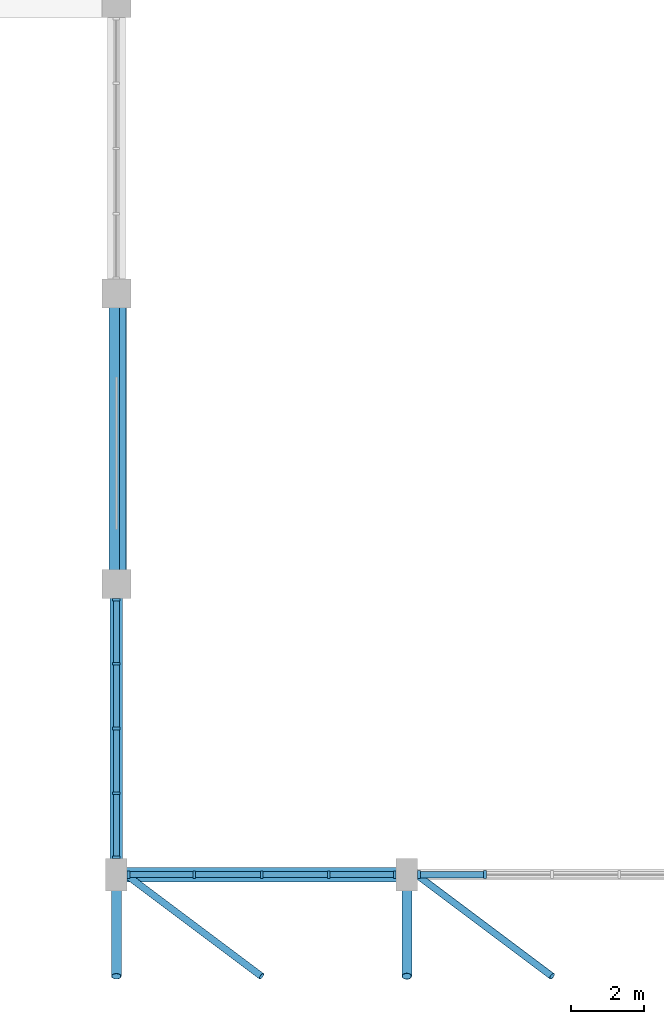
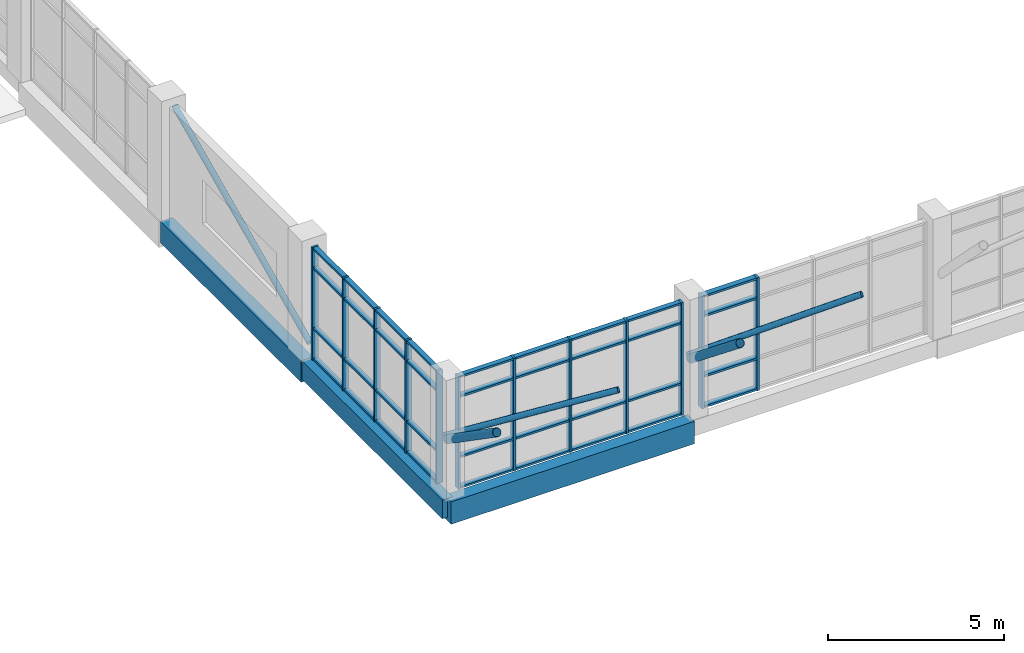
# One storey, part 16 of 84: 53 members, 3 beams, 3 elements without a shape of their own.
"""IFC4 building model written with IfcOpenShell, lengths in metres."""

from ifc_helpers import new_model, si_unit, direction, frame, origin, origin_2d, place, context, subcontext, project, spatial, rectangle, hollow_circle, extrude, material, material_profile, profile_set, type_object, element, aggregate, save


model = new_model("IFC4")

# Units and contexts
model_context = context("Model", 3, precision=1e-05, world=origin(), true_north=direction((0.0, 1.0)))
body_context = subcontext(model_context, "Body", "Model", "MODEL_VIEW")
ifc_project = project(units=[si_unit("LENGTHUNIT", "METRE"), si_unit("AREAUNIT", "SQUARE_METRE"), si_unit("VOLUMEUNIT", "CUBIC_METRE"), si_unit("PLANEANGLEUNIT", "RADIAN"), si_unit("MASSUNIT", "GRAM", prefix="KILO")], contexts=[model_context])

# Site, building, storey
site_placement = place(None, origin())
site = spatial("IfcSite", under=ifc_project, at=site_placement, CompositionType="ELEMENT")
building_placement = place(site_placement, origin())
building = spatial("IfcBuilding", under=site, at=building_placement, Name="Tenunan Teduh Sports Hall", CompositionType="ELEMENT")
storey_placement = place(building_placement, frame((0.0, 0.0, 10.800048828125)))
storey = spatial("IfcBuildingStorey", under=building, at=storey_placement, Name="L02", CompositionType="ELEMENT", Elevation=10.800048828125)

# Beams
ifc_material_1 = material(Name="Concrete C40/50", Category="concrete")
ifc_material_profile_1 = material_profile(ifc_material_1, rectangle(XDim=0.35009765625, YDim=0.64990234375, at=origin_2d()), Name="RCB 350x650")
ifc_profile_set_1 = profile_set([ifc_material_profile_1], Name="Concrete C40/50")
beam_type_1 = type_object("IfcBeamType", Name="BM-RC-350x650", PredefinedType="BEAM", material=ifc_profile_set_1)
beam_1_placement = place(storey_placement, frame((122.0, 14.0, -0.5849609375), z_axis=(0.0, 1.0, 0.0), x_axis=(-1.0, 0.0, 0.0)))
element("IfcBeam", 1, at=beam_1_placement, inside=storey, type_object=beam_type_1, Name="BM-B-05-L02-1633", PredefinedType="BEAM", context=body_context, shape_type="SweptSolid", body=[
    extrude(rectangle(XDim=0.35009765625, YDim=0.64990234375, at=origin_2d()), origin(), (0.0, 0.0, 1.0), 8.0),
])
ifc_material_2 = material(Name="Concrete C40/50", Category="concrete")
ifc_material_profile_2 = material_profile(ifc_material_2, rectangle(XDim=0.39990234375, YDim=0.75, at=origin_2d()), Name="RCB 400x750")
ifc_profile_set_2 = profile_set([ifc_material_profile_2], Name="Concrete C40/50")
beam_type_2 = type_object("IfcBeamType", Name="BM-RC-400x750", PredefinedType="BEAM", material=ifc_profile_set_2)
beam_2_placement = place(storey_placement, frame((122.0, 22.0, -0.635009765625), z_axis=(0.0, 1.0, 0.0), x_axis=(-1.0, 0.0, 0.0)))
element("IfcBeam", 2, at=beam_2_placement, inside=storey, type_object=beam_type_2, Name="BM-B-09-L02-1634", PredefinedType="BEAM", context=body_context, shape_type="SweptSolid", body=[
    extrude(rectangle(XDim=0.39990234375, YDim=0.75, at=origin_2d()), origin(), (0.0, 0.0, 1.0), 8.0),
])
ifc_material_3 = material(Name="Concrete C40/50", Category="concrete")
ifc_material_profile_3 = material_profile(ifc_material_3, rectangle(XDim=0.39990234375, YDim=0.780029296875, at=origin_2d()), Name="TB 400x780")
ifc_profile_set_3 = profile_set([ifc_material_profile_3], Name="Concrete C40/50")
beam_type_3 = type_object("IfcBeamType", Name="BM-TB-400x780", PredefinedType="T_BEAM", material=ifc_profile_set_3)
beam_3_placement = place(storey_placement, frame((122.0, 14.0, -0.650146484375), z_axis=(1.0, 0.0, 0.0), x_axis=(0.0, 1.0, 0.0)))
element("IfcBeam", 3, at=beam_3_placement, inside=storey, type_object=beam_type_3, Name="BM-TB-02-L02-1458", PredefinedType="T_BEAM", context=body_context, shape_type="SweptSolid", body=[
    extrude(rectangle(XDim=0.39990234375, YDim=0.780029296875, at=origin_2d()), origin(), (0.0, 0.0, 1.0), 8.0),
])

# Curtain wall, members
ifc_material_4 = material(Name="Anodised aluminium", Category="aluminium")
curtain_wall_type_1 = type_object("IfcCurtainWallType", Name="CW-CLER-1", PredefinedType="NOTDEFINED", material=ifc_material_4)
curtain_wall_1_placement = place(storey_placement, origin())
curtain_wall_1 = element("IfcCurtainWall", 4, at=curtain_wall_1_placement, inside=storey, type_object=curtain_wall_type_1, Name="CW-CWM-200-L02-020", PredefinedType="NOTDEFINED")
ifc_material_5 = material(Name="Anodised aluminium", Category="aluminium")
ifc_material_profile_4 = material_profile(ifc_material_5, rectangle(XDim=0.070068359375, YDim=0.199951171875, at=origin_2d()), Name="CWM 70x200")
ifc_profile_set_4 = profile_set([ifc_material_profile_4], Name="Anodised aluminium")
member_type_1 = type_object("IfcMemberType", Name="CWM-200", PredefinedType="MULLION", material=ifc_profile_set_4)
member_1_placement = place(storey_placement, frame((122.3349609375, 14.0, 0.0), z_axis=(0.0, 0.0, 1.0), x_axis=(1.0, 0.0, 0.0)))
member_1 = element("IfcMember", 5, at=member_1_placement, type_object=member_type_1, Name="CW-03 mullion 1", PredefinedType="MULLION", context=body_context, shape_type="SweptSolid", body=[
    extrude(rectangle(XDim=0.070068359375, YDim=0.199951171875, at=origin_2d()), origin(), (0.0, 0.0, 1.0), 3.919921875),
])
member_2_placement = place(storey_placement, frame((124.14990234375, 14.0, 0.0), z_axis=(0.0, 0.0, 1.0), x_axis=(1.0, 0.0, 0.0)))
member_2 = element("IfcMember", 6, at=member_2_placement, type_object=member_type_1, Name="CW-03 mullion 2", PredefinedType="MULLION", context=body_context, shape_type="SweptSolid", body=[
    extrude(rectangle(XDim=0.070068359375, YDim=0.199951171875, at=origin_2d()), origin(), (0.0, 0.0, 1.0), 3.919921875),
])
member_3_placement = place(storey_placement, frame((126.0, 14.0, 0.0), z_axis=(0.0, 0.0, 1.0), x_axis=(1.0, 0.0, 0.0)))
member_3 = element("IfcMember", 7, at=member_3_placement, type_object=member_type_1, Name="CW-03 mullion 3", PredefinedType="MULLION", context=body_context, shape_type="SweptSolid", body=[
    extrude(rectangle(XDim=0.070068359375, YDim=0.199951171875, at=origin_2d()), origin(), (0.0, 0.0, 1.0), 3.919921875),
])
member_4_placement = place(storey_placement, frame((127.85009765625, 14.0, 0.0), z_axis=(0.0, 0.0, 1.0), x_axis=(1.0, 0.0, 0.0)))
member_4 = element("IfcMember", 8, at=member_4_placement, type_object=member_type_1, Name="CW-03 mullion 4", PredefinedType="MULLION", context=body_context, shape_type="SweptSolid", body=[
    extrude(rectangle(XDim=0.070068359375, YDim=0.199951171875, at=origin_2d()), origin(), (0.0, 0.0, 1.0), 3.919921875),
])
member_5_placement = place(storey_placement, frame((129.6650390625, 14.0, 0.0), z_axis=(0.0, 0.0, 1.0), x_axis=(1.0, 0.0, 0.0)))
member_5 = element("IfcMember", 9, at=member_5_placement, type_object=member_type_1, Name="CW-03 mullion 5", PredefinedType="MULLION", context=body_context, shape_type="SweptSolid", body=[
    extrude(rectangle(XDim=0.070068359375, YDim=0.199951171875, at=origin_2d()), origin(), (0.0, 0.0, 1.0), 3.919921875),
])

ifc_material_6 = material(Name="Anodised aluminium", Category="aluminium")
curtain_wall_type_2 = type_object("IfcCurtainWallType", Name="CW-UNIT-2", PredefinedType="NOTDEFINED", material=ifc_material_6)
curtain_wall_2_placement = place(storey_placement, origin())
curtain_wall_2 = element("IfcCurtainWall", 10, at=curtain_wall_2_placement, inside=storey, type_object=curtain_wall_type_2, Name="CW-CWM-200-L02-028", PredefinedType="NOTDEFINED")
member_6_placement = place(storey_placement, frame((122.0, 14.485107421875, 0.0), z_axis=(0.0, 0.0, 1.0), x_axis=(0.0, 1.0, 0.0)))
member_6 = element("IfcMember", 11, at=member_6_placement, type_object=member_type_1, Name="CW-02 mullion 1", PredefinedType="MULLION", context=body_context, shape_type="SweptSolid", body=[
    extrude(rectangle(XDim=0.070068359375, YDim=0.199951171875, at=origin_2d()), origin(), (0.0, 0.0, 1.0), 3.919921875),
])
member_7_placement = place(storey_placement, frame((122.0, 16.237548828125, 0.0), z_axis=(0.0, 0.0, 1.0), x_axis=(0.0, 1.0, 0.0)))
member_7 = element("IfcMember", 12, at=member_7_placement, type_object=member_type_1, Name="CW-02 mullion 2", PredefinedType="MULLION", context=body_context, shape_type="SweptSolid", body=[
    extrude(rectangle(XDim=0.070068359375, YDim=0.199951171875, at=origin_2d()), origin(), (0.0, 0.0, 1.0), 3.919921875),
])
member_8_placement = place(storey_placement, frame((122.0, 18.02490234375, 0.0), z_axis=(0.0, 0.0, 1.0), x_axis=(0.0, 1.0, 0.0)))
member_8 = element("IfcMember", 13, at=member_8_placement, type_object=member_type_1, Name="CW-02 mullion 3", PredefinedType="MULLION", context=body_context, shape_type="SweptSolid", body=[
    extrude(rectangle(XDim=0.070068359375, YDim=0.199951171875, at=origin_2d()), origin(), (0.0, 0.0, 1.0), 3.919921875),
])
member_9_placement = place(storey_placement, frame((122.0, 19.8125, 0.0), z_axis=(0.0, 0.0, 1.0), x_axis=(0.0, 1.0, 0.0)))
member_9 = element("IfcMember", 14, at=member_9_placement, type_object=member_type_1, Name="CW-02 mullion 4", PredefinedType="MULLION", context=body_context, shape_type="SweptSolid", body=[
    extrude(rectangle(XDim=0.070068359375, YDim=0.199951171875, at=origin_2d()), origin(), (0.0, 0.0, 1.0), 3.919921875),
])
member_10_placement = place(storey_placement, frame((122.0, 21.56494140625, 0.0), z_axis=(0.0, 0.0, 1.0), x_axis=(0.0, 1.0, 0.0)))
member_10 = element("IfcMember", 15, at=member_10_placement, type_object=member_type_1, Name="CW-02 mullion 5", PredefinedType="MULLION", context=body_context, shape_type="SweptSolid", body=[
    extrude(rectangle(XDim=0.070068359375, YDim=0.199951171875, at=origin_2d()), origin(), (0.0, 0.0, 1.0), 3.919921875),
])

curtain_wall_3_placement = place(storey_placement, origin())
curtain_wall_3 = element("IfcCurtainWall", 16, at=curtain_wall_3_placement, inside=storey, type_object=curtain_wall_type_1, Name="CW-CWM-220-L02-021", PredefinedType="NOTDEFINED")
ifc_material_7 = material(Name="Anodised aluminium", Category="aluminium")
ifc_material_profile_5 = material_profile(ifc_material_7, rectangle(XDim=0.074951171875, YDim=0.219970703125, at=origin_2d()), Name="CWM 75x220")
ifc_profile_set_5 = profile_set([ifc_material_profile_5], Name="Anodised aluminium")
member_type_2 = type_object("IfcMemberType", Name="CWM-220", PredefinedType="MULLION", material=ifc_profile_set_5)
member_11_placement = place(storey_placement, frame((130.33740234375, 14.0, 0.0), z_axis=(0.0, 0.0, 1.0), x_axis=(1.0, 0.0, 0.0)))
member_11 = element("IfcMember", 17, at=member_11_placement, type_object=member_type_2, Name="CW-03 mullion 1", PredefinedType="MULLION", context=body_context, shape_type="SweptSolid", body=[
    extrude(rectangle(XDim=0.074951171875, YDim=0.219970703125, at=origin_2d()), origin(), (0.0, 0.0, 1.0), 3.919921875),
])
member_12_placement = place(storey_placement, frame((132.14990234375, 14.0, 0.0), z_axis=(0.0, 0.0, 1.0), x_axis=(1.0, 0.0, 0.0)))
member_12 = element("IfcMember", 18, at=member_12_placement, type_object=member_type_2, Name="CW-03 mullion 2", PredefinedType="MULLION", context=body_context, shape_type="SweptSolid", body=[
    extrude(rectangle(XDim=0.074951171875, YDim=0.219970703125, at=origin_2d()), origin(), (0.0, 0.0, 1.0), 3.919921875),
])
ifc_material_8 = material(Name="Anodised aluminium", Category="aluminium")
ifc_material_profile_6 = material_profile(ifc_material_8, rectangle(XDim=0.074951171875, YDim=0.179931640625, at=origin_2d()), Name="CWT 75x180")
ifc_profile_set_6 = profile_set([ifc_material_profile_6], Name="Anodised aluminium")
member_type_3 = type_object("IfcMemberType", Name="CWT-180", PredefinedType="USERDEFINED", material=ifc_profile_set_6)
member_13_placement = place(storey_placement, frame((130.375, 14.0, 0.037353515625), z_axis=(1.0, 0.0, 0.0), x_axis=(0.0, 0.0, 1.0)))
member_13 = element("IfcMember", 19, at=member_13_placement, type_object=member_type_3, Name="CW-03 transom 1.1", ObjectType="TRANSOM", PredefinedType="USERDEFINED", context=body_context, shape_type="SweptSolid", body=[
    extrude(rectangle(XDim=0.074951171875, YDim=0.179931640625, at=origin_2d()), origin(), (0.0, 0.0, 1.0), 1.737548828125),
])
member_14_placement = place(storey_placement, frame((130.375, 14.0, 1.099853515625), z_axis=(1.0, 0.0, 0.0), x_axis=(0.0, 0.0, 1.0)))
member_14 = element("IfcMember", 20, at=member_14_placement, type_object=member_type_3, Name="CW-03 transom 1.2", ObjectType="TRANSOM", PredefinedType="USERDEFINED", context=body_context, shape_type="SweptSolid", body=[
    extrude(rectangle(XDim=0.074951171875, YDim=0.179931640625, at=origin_2d()), origin(), (0.0, 0.0, 1.0), 1.737548828125),
])
member_15_placement = place(storey_placement, frame((130.375, 14.0, 3.199951171875), z_axis=(1.0, 0.0, 0.0), x_axis=(0.0, 0.0, 1.0)))
member_15 = element("IfcMember", 21, at=member_15_placement, type_object=member_type_3, Name="CW-03 transom 1.3", ObjectType="TRANSOM", PredefinedType="USERDEFINED", context=body_context, shape_type="SweptSolid", body=[
    extrude(rectangle(XDim=0.074951171875, YDim=0.179931640625, at=origin_2d()), origin(), (0.0, 0.0, 1.0), 1.737548828125),
])
member_16_placement = place(storey_placement, frame((130.375, 14.0, 3.882568359375), z_axis=(1.0, 0.0, 0.0), x_axis=(0.0, 0.0, 1.0)))
member_16 = element("IfcMember", 22, at=member_16_placement, type_object=member_type_3, Name="CW-03 transom 1.4", ObjectType="TRANSOM", PredefinedType="USERDEFINED", context=body_context, shape_type="SweptSolid", body=[
    extrude(rectangle(XDim=0.074951171875, YDim=0.179931640625, at=origin_2d()), origin(), (0.0, 0.0, 1.0), 1.737548828125),
])
aggregate(curtain_wall_3, [member_11, member_12, member_13, member_14, member_15, member_16])

# Member
ifc_material_9 = material(Name="Anodised aluminium", Category="aluminium")
ifc_material_profile_7 = material_profile(ifc_material_9, rectangle(XDim=0.070068359375, YDim=0.159912109375, at=origin_2d()), Name="CWT 70x160")
ifc_profile_set_7 = profile_set([ifc_material_profile_7], Name="Anodised aluminium")
member_type_4 = type_object("IfcMemberType", Name="CWT-200", PredefinedType="USERDEFINED", material=ifc_profile_set_7)
member_17_placement = place(storey_placement, frame((122.3701171875, 14.0, 0.034912109375), z_axis=(1.0, 0.0, 0.0), x_axis=(0.0, 0.0, 1.0)))
member_17 = element("IfcMember", 23, at=member_17_placement, type_object=member_type_4, Name="CW-03 transom 1.1", ObjectType="TRANSOM", PredefinedType="USERDEFINED", context=body_context, shape_type="SweptSolid", body=[
    extrude(rectangle(XDim=0.070068359375, YDim=0.159912109375, at=origin_2d()), origin(), (0.0, 0.0, 1.0), 1.744873046875),
])

member_18_placement = place(storey_placement, frame((122.3701171875, 14.0, 1.099853515625), z_axis=(1.0, 0.0, 0.0), x_axis=(0.0, 0.0, 1.0)))
member_18 = element("IfcMember", 24, at=member_18_placement, type_object=member_type_4, Name="CW-03 transom 1.2", ObjectType="TRANSOM", PredefinedType="USERDEFINED", context=body_context, shape_type="SweptSolid", body=[
    extrude(rectangle(XDim=0.070068359375, YDim=0.159912109375, at=origin_2d()), origin(), (0.0, 0.0, 1.0), 1.744873046875),
])

member_19_placement = place(storey_placement, frame((122.3701171875, 14.0, 3.199951171875), z_axis=(1.0, 0.0, 0.0), x_axis=(0.0, 0.0, 1.0)))
member_19 = element("IfcMember", 25, at=member_19_placement, type_object=member_type_4, Name="CW-03 transom 1.3", ObjectType="TRANSOM", PredefinedType="USERDEFINED", context=body_context, shape_type="SweptSolid", body=[
    extrude(rectangle(XDim=0.070068359375, YDim=0.159912109375, at=origin_2d()), origin(), (0.0, 0.0, 1.0), 1.744873046875),
])

member_20_placement = place(storey_placement, frame((122.3701171875, 14.0, 3.885009765625), z_axis=(1.0, 0.0, 0.0), x_axis=(0.0, 0.0, 1.0)))
member_20 = element("IfcMember", 26, at=member_20_placement, type_object=member_type_4, Name="CW-03 transom 1.4", ObjectType="TRANSOM", PredefinedType="USERDEFINED", context=body_context, shape_type="SweptSolid", body=[
    extrude(rectangle(XDim=0.070068359375, YDim=0.159912109375, at=origin_2d()), origin(), (0.0, 0.0, 1.0), 1.744873046875),
])

member_21_placement = place(storey_placement, frame((124.18505859375, 14.0, 0.034912109375), z_axis=(1.0, 0.0, 0.0), x_axis=(0.0, 0.0, 1.0)))
member_21 = element("IfcMember", 27, at=member_21_placement, type_object=member_type_4, Name="CW-03 transom 2.1", ObjectType="TRANSOM", PredefinedType="USERDEFINED", context=body_context, shape_type="SweptSolid", body=[
    extrude(rectangle(XDim=0.070068359375, YDim=0.159912109375, at=origin_2d()), origin(), (0.0, 0.0, 1.0), 1.780029296875),
])

member_22_placement = place(storey_placement, frame((124.18505859375, 14.0, 1.099853515625), z_axis=(1.0, 0.0, 0.0), x_axis=(0.0, 0.0, 1.0)))
member_22 = element("IfcMember", 28, at=member_22_placement, type_object=member_type_4, Name="CW-03 transom 2.2", ObjectType="TRANSOM", PredefinedType="USERDEFINED", context=body_context, shape_type="SweptSolid", body=[
    extrude(rectangle(XDim=0.070068359375, YDim=0.159912109375, at=origin_2d()), origin(), (0.0, 0.0, 1.0), 1.780029296875),
])

member_23_placement = place(storey_placement, frame((124.18505859375, 14.0, 3.199951171875), z_axis=(1.0, 0.0, 0.0), x_axis=(0.0, 0.0, 1.0)))
member_23 = element("IfcMember", 29, at=member_23_placement, type_object=member_type_4, Name="CW-03 transom 2.3", ObjectType="TRANSOM", PredefinedType="USERDEFINED", context=body_context, shape_type="SweptSolid", body=[
    extrude(rectangle(XDim=0.070068359375, YDim=0.159912109375, at=origin_2d()), origin(), (0.0, 0.0, 1.0), 1.780029296875),
])

member_24_placement = place(storey_placement, frame((124.18505859375, 14.0, 3.885009765625), z_axis=(1.0, 0.0, 0.0), x_axis=(0.0, 0.0, 1.0)))
member_24 = element("IfcMember", 30, at=member_24_placement, type_object=member_type_4, Name="CW-03 transom 2.4", ObjectType="TRANSOM", PredefinedType="USERDEFINED", context=body_context, shape_type="SweptSolid", body=[
    extrude(rectangle(XDim=0.070068359375, YDim=0.159912109375, at=origin_2d()), origin(), (0.0, 0.0, 1.0), 1.780029296875),
])

member_25_placement = place(storey_placement, frame((126.034912109375, 14.0, 0.034912109375), z_axis=(1.0, 0.0, 0.0), x_axis=(0.0, 0.0, 1.0)))
member_25 = element("IfcMember", 31, at=member_25_placement, type_object=member_type_4, Name="CW-03 transom 3.1", ObjectType="TRANSOM", PredefinedType="USERDEFINED", context=body_context, shape_type="SweptSolid", body=[
    extrude(rectangle(XDim=0.070068359375, YDim=0.159912109375, at=origin_2d()), origin(), (0.0, 0.0, 1.0), 1.780029296875),
])

member_26_placement = place(storey_placement, frame((126.034912109375, 14.0, 1.099853515625), z_axis=(1.0, 0.0, 0.0), x_axis=(0.0, 0.0, 1.0)))
member_26 = element("IfcMember", 32, at=member_26_placement, type_object=member_type_4, Name="CW-03 transom 3.2", ObjectType="TRANSOM", PredefinedType="USERDEFINED", context=body_context, shape_type="SweptSolid", body=[
    extrude(rectangle(XDim=0.070068359375, YDim=0.159912109375, at=origin_2d()), origin(), (0.0, 0.0, 1.0), 1.780029296875),
])

member_27_placement = place(storey_placement, frame((126.034912109375, 14.0, 3.199951171875), z_axis=(1.0, 0.0, 0.0), x_axis=(0.0, 0.0, 1.0)))
member_27 = element("IfcMember", 33, at=member_27_placement, type_object=member_type_4, Name="CW-03 transom 3.3", ObjectType="TRANSOM", PredefinedType="USERDEFINED", context=body_context, shape_type="SweptSolid", body=[
    extrude(rectangle(XDim=0.070068359375, YDim=0.159912109375, at=origin_2d()), origin(), (0.0, 0.0, 1.0), 1.780029296875),
])

member_28_placement = place(storey_placement, frame((126.034912109375, 14.0, 3.885009765625), z_axis=(1.0, 0.0, 0.0), x_axis=(0.0, 0.0, 1.0)))
member_28 = element("IfcMember", 34, at=member_28_placement, type_object=member_type_4, Name="CW-03 transom 3.4", ObjectType="TRANSOM", PredefinedType="USERDEFINED", context=body_context, shape_type="SweptSolid", body=[
    extrude(rectangle(XDim=0.070068359375, YDim=0.159912109375, at=origin_2d()), origin(), (0.0, 0.0, 1.0), 1.780029296875),
])

member_29_placement = place(storey_placement, frame((127.885009765625, 14.0, 0.034912109375), z_axis=(1.0, 0.0, 0.0), x_axis=(0.0, 0.0, 1.0)))
member_29 = element("IfcMember", 35, at=member_29_placement, type_object=member_type_4, Name="CW-03 transom 4.1", ObjectType="TRANSOM", PredefinedType="USERDEFINED", context=body_context, shape_type="SweptSolid", body=[
    extrude(rectangle(XDim=0.070068359375, YDim=0.159912109375, at=origin_2d()), origin(), (0.0, 0.0, 1.0), 1.744873046875),
])

member_30_placement = place(storey_placement, frame((127.885009765625, 14.0, 1.099853515625), z_axis=(1.0, 0.0, 0.0), x_axis=(0.0, 0.0, 1.0)))
member_30 = element("IfcMember", 36, at=member_30_placement, type_object=member_type_4, Name="CW-03 transom 4.2", ObjectType="TRANSOM", PredefinedType="USERDEFINED", context=body_context, shape_type="SweptSolid", body=[
    extrude(rectangle(XDim=0.070068359375, YDim=0.159912109375, at=origin_2d()), origin(), (0.0, 0.0, 1.0), 1.744873046875),
])

member_31_placement = place(storey_placement, frame((127.885009765625, 14.0, 3.199951171875), z_axis=(1.0, 0.0, 0.0), x_axis=(0.0, 0.0, 1.0)))
member_31 = element("IfcMember", 37, at=member_31_placement, type_object=member_type_4, Name="CW-03 transom 4.3", ObjectType="TRANSOM", PredefinedType="USERDEFINED", context=body_context, shape_type="SweptSolid", body=[
    extrude(rectangle(XDim=0.070068359375, YDim=0.159912109375, at=origin_2d()), origin(), (0.0, 0.0, 1.0), 1.744873046875),
])

member_32_placement = place(storey_placement, frame((127.885009765625, 14.0, 3.885009765625), z_axis=(1.0, 0.0, 0.0), x_axis=(0.0, 0.0, 1.0)))
member_32 = element("IfcMember", 38, at=member_32_placement, type_object=member_type_4, Name="CW-03 transom 4.4", ObjectType="TRANSOM", PredefinedType="USERDEFINED", context=body_context, shape_type="SweptSolid", body=[
    extrude(rectangle(XDim=0.070068359375, YDim=0.159912109375, at=origin_2d()), origin(), (0.0, 0.0, 1.0), 1.744873046875),
])

aggregate(curtain_wall_1, [member_1, member_2, member_3, member_4, member_5, member_17, member_18, member_19, member_20, member_21, member_22, member_23, member_24, member_25, member_26, member_27, member_28, member_29, member_30, member_31, member_32])

member_33_placement = place(storey_placement, frame((122.0, 14.52001953125, 0.034912109375), z_axis=(0.0, 1.0, 0.0), x_axis=(0.0, 0.0, 1.0)))
member_33 = element("IfcMember", 39, at=member_33_placement, type_object=member_type_4, Name="CW-02 transom 1.1", ObjectType="TRANSOM", PredefinedType="USERDEFINED", context=body_context, shape_type="SweptSolid", body=[
    extrude(rectangle(XDim=0.070068359375, YDim=0.159912109375, at=origin_2d()), origin(), (0.0, 0.0, 1.0), 1.682373046875),
])

member_34_placement = place(storey_placement, frame((122.0, 14.52001953125, 1.099853515625), z_axis=(0.0, 1.0, 0.0), x_axis=(0.0, 0.0, 1.0)))
member_34 = element("IfcMember", 40, at=member_34_placement, type_object=member_type_4, Name="CW-02 transom 1.2", ObjectType="TRANSOM", PredefinedType="USERDEFINED", context=body_context, shape_type="SweptSolid", body=[
    extrude(rectangle(XDim=0.070068359375, YDim=0.159912109375, at=origin_2d()), origin(), (0.0, 0.0, 1.0), 1.682373046875),
])

member_35_placement = place(storey_placement, frame((122.0, 14.52001953125, 3.199951171875), z_axis=(0.0, 1.0, 0.0), x_axis=(0.0, 0.0, 1.0)))
member_35 = element("IfcMember", 41, at=member_35_placement, type_object=member_type_4, Name="CW-02 transom 1.3", ObjectType="TRANSOM", PredefinedType="USERDEFINED", context=body_context, shape_type="SweptSolid", body=[
    extrude(rectangle(XDim=0.070068359375, YDim=0.159912109375, at=origin_2d()), origin(), (0.0, 0.0, 1.0), 1.682373046875),
])

member_36_placement = place(storey_placement, frame((122.0, 14.52001953125, 3.885009765625), z_axis=(0.0, 1.0, 0.0), x_axis=(0.0, 0.0, 1.0)))
member_36 = element("IfcMember", 42, at=member_36_placement, type_object=member_type_4, Name="CW-02 transom 1.4", ObjectType="TRANSOM", PredefinedType="USERDEFINED", context=body_context, shape_type="SweptSolid", body=[
    extrude(rectangle(XDim=0.070068359375, YDim=0.159912109375, at=origin_2d()), origin(), (0.0, 0.0, 1.0), 1.682373046875),
])

member_37_placement = place(storey_placement, frame((122.0, 16.2724609375, 0.034912109375), z_axis=(0.0, 1.0, 0.0), x_axis=(0.0, 0.0, 1.0)))
member_37 = element("IfcMember", 43, at=member_37_placement, type_object=member_type_4, Name="CW-02 transom 2.1", ObjectType="TRANSOM", PredefinedType="USERDEFINED", context=body_context, shape_type="SweptSolid", body=[
    extrude(rectangle(XDim=0.070068359375, YDim=0.159912109375, at=origin_2d()), origin(), (0.0, 0.0, 1.0), 1.717529296875),
])

member_38_placement = place(storey_placement, frame((122.0, 16.2724609375, 1.099853515625), z_axis=(0.0, 1.0, 0.0), x_axis=(0.0, 0.0, 1.0)))
member_38 = element("IfcMember", 44, at=member_38_placement, type_object=member_type_4, Name="CW-02 transom 2.2", ObjectType="TRANSOM", PredefinedType="USERDEFINED", context=body_context, shape_type="SweptSolid", body=[
    extrude(rectangle(XDim=0.070068359375, YDim=0.159912109375, at=origin_2d()), origin(), (0.0, 0.0, 1.0), 1.717529296875),
])

member_39_placement = place(storey_placement, frame((122.0, 16.2724609375, 3.199951171875), z_axis=(0.0, 1.0, 0.0), x_axis=(0.0, 0.0, 1.0)))
member_39 = element("IfcMember", 45, at=member_39_placement, type_object=member_type_4, Name="CW-02 transom 2.3", ObjectType="TRANSOM", PredefinedType="USERDEFINED", context=body_context, shape_type="SweptSolid", body=[
    extrude(rectangle(XDim=0.070068359375, YDim=0.159912109375, at=origin_2d()), origin(), (0.0, 0.0, 1.0), 1.717529296875),
])

member_40_placement = place(storey_placement, frame((122.0, 16.2724609375, 3.885009765625), z_axis=(0.0, 1.0, 0.0), x_axis=(0.0, 0.0, 1.0)))
member_40 = element("IfcMember", 46, at=member_40_placement, type_object=member_type_4, Name="CW-02 transom 2.4", ObjectType="TRANSOM", PredefinedType="USERDEFINED", context=body_context, shape_type="SweptSolid", body=[
    extrude(rectangle(XDim=0.070068359375, YDim=0.159912109375, at=origin_2d()), origin(), (0.0, 0.0, 1.0), 1.717529296875),
])

member_41_placement = place(storey_placement, frame((122.0, 18.06005859375, 0.034912109375), z_axis=(0.0, 1.0, 0.0), x_axis=(0.0, 0.0, 1.0)))
member_41 = element("IfcMember", 47, at=member_41_placement, type_object=member_type_4, Name="CW-02 transom 3.1", ObjectType="TRANSOM", PredefinedType="USERDEFINED", context=body_context, shape_type="SweptSolid", body=[
    extrude(rectangle(XDim=0.070068359375, YDim=0.159912109375, at=origin_2d()), origin(), (0.0, 0.0, 1.0), 1.717529296875),
])

member_42_placement = place(storey_placement, frame((122.0, 18.06005859375, 1.099853515625), z_axis=(0.0, 1.0, 0.0), x_axis=(0.0, 0.0, 1.0)))
member_42 = element("IfcMember", 48, at=member_42_placement, type_object=member_type_4, Name="CW-02 transom 3.2", ObjectType="TRANSOM", PredefinedType="USERDEFINED", context=body_context, shape_type="SweptSolid", body=[
    extrude(rectangle(XDim=0.070068359375, YDim=0.159912109375, at=origin_2d()), origin(), (0.0, 0.0, 1.0), 1.717529296875),
])

member_43_placement = place(storey_placement, frame((122.0, 18.06005859375, 3.199951171875), z_axis=(0.0, 1.0, 0.0), x_axis=(0.0, 0.0, 1.0)))
member_43 = element("IfcMember", 49, at=member_43_placement, type_object=member_type_4, Name="CW-02 transom 3.3", ObjectType="TRANSOM", PredefinedType="USERDEFINED", context=body_context, shape_type="SweptSolid", body=[
    extrude(rectangle(XDim=0.070068359375, YDim=0.159912109375, at=origin_2d()), origin(), (0.0, 0.0, 1.0), 1.717529296875),
])

member_44_placement = place(storey_placement, frame((122.0, 18.06005859375, 3.885009765625), z_axis=(0.0, 1.0, 0.0), x_axis=(0.0, 0.0, 1.0)))
member_44 = element("IfcMember", 50, at=member_44_placement, type_object=member_type_4, Name="CW-02 transom 3.4", ObjectType="TRANSOM", PredefinedType="USERDEFINED", context=body_context, shape_type="SweptSolid", body=[
    extrude(rectangle(XDim=0.070068359375, YDim=0.159912109375, at=origin_2d()), origin(), (0.0, 0.0, 1.0), 1.717529296875),
])

member_45_placement = place(storey_placement, frame((122.0, 19.847412109375, 0.034912109375), z_axis=(0.0, 1.0, 0.0), x_axis=(0.0, 0.0, 1.0)))
member_45 = element("IfcMember", 51, at=member_45_placement, type_object=member_type_4, Name="CW-02 transom 4.1", ObjectType="TRANSOM", PredefinedType="USERDEFINED", context=body_context, shape_type="SweptSolid", body=[
    extrude(rectangle(XDim=0.070068359375, YDim=0.159912109375, at=origin_2d()), origin(), (0.0, 0.0, 1.0), 1.6826171875),
])

member_46_placement = place(storey_placement, frame((122.0, 19.847412109375, 1.099853515625), z_axis=(0.0, 1.0, 0.0), x_axis=(0.0, 0.0, 1.0)))
member_46 = element("IfcMember", 52, at=member_46_placement, type_object=member_type_4, Name="CW-02 transom 4.2", ObjectType="TRANSOM", PredefinedType="USERDEFINED", context=body_context, shape_type="SweptSolid", body=[
    extrude(rectangle(XDim=0.070068359375, YDim=0.159912109375, at=origin_2d()), origin(), (0.0, 0.0, 1.0), 1.6826171875),
])

member_47_placement = place(storey_placement, frame((122.0, 19.847412109375, 3.199951171875), z_axis=(0.0, 1.0, 0.0), x_axis=(0.0, 0.0, 1.0)))
member_47 = element("IfcMember", 53, at=member_47_placement, type_object=member_type_4, Name="CW-02 transom 4.3", ObjectType="TRANSOM", PredefinedType="USERDEFINED", context=body_context, shape_type="SweptSolid", body=[
    extrude(rectangle(XDim=0.070068359375, YDim=0.159912109375, at=origin_2d()), origin(), (0.0, 0.0, 1.0), 1.6826171875),
])

member_48_placement = place(storey_placement, frame((122.0, 19.847412109375, 3.885009765625), z_axis=(0.0, 1.0, 0.0), x_axis=(0.0, 0.0, 1.0)))
member_48 = element("IfcMember", 54, at=member_48_placement, type_object=member_type_4, Name="CW-02 transom 4.4", ObjectType="TRANSOM", PredefinedType="USERDEFINED", context=body_context, shape_type="SweptSolid", body=[
    extrude(rectangle(XDim=0.070068359375, YDim=0.159912109375, at=origin_2d()), origin(), (0.0, 0.0, 1.0), 1.6826171875),
])

aggregate(curtain_wall_2, [member_6, member_7, member_8, member_9, member_10, member_33, member_34, member_35, member_36, member_37, member_38, member_39, member_40, member_41, member_42, member_43, member_44, member_45, member_46, member_47, member_48])

# Members
ifc_material_10 = material(Name="Steel S355", Category="steel")
ifc_material_profile_8 = material_profile(ifc_material_10, hollow_circle(Radius=0.096923828125, WallThickness=0.008056640625, at=origin_2d()), Name="CHS 193.7x8.0")
ifc_profile_set_8 = profile_set([ifc_material_profile_8], Name="Steel S355")
member_type_5 = type_object("IfcMemberType", Name="MEM-BR-CHS194", PredefinedType="BRACE", material=ifc_profile_set_8)
member_49_placement = place(storey_placement, frame((122.0, 14.199951171875, 1.800048828125), z_axis=(0.741953988279, -0.556465491209, 0.373965822462), x_axis=(0.6, 0.8, 0.0)))
element("IfcMember", 55, at=member_49_placement, inside=storey, type_object=member_type_5, Name="MEM-GD-03-L02-0010", PredefinedType="BRACE", context=body_context, shape_type="SweptSolid", body=[
    extrude(hollow_circle(Radius=0.096923828125, WallThickness=0.008056640625, at=origin_2d()), origin(), (0.0, 0.0, 1.0), 5.39111328125),
])
member_50_placement = place(storey_placement, frame((130.0, 14.199951171875, 1.800048828125), z_axis=(0.713495605127, -0.535121703845, 0.452292807303), x_axis=(0.6, 0.8, 0.0)))
element("IfcMember", 56, at=member_50_placement, inside=storey, type_object=member_type_5, Name="MEM-GD-03-L02-0024", PredefinedType="BRACE", context=body_context, shape_type="SweptSolid", body=[
    extrude(hollow_circle(Radius=0.096923828125, WallThickness=0.008056640625, at=origin_2d()), origin(), (0.0, 0.0, 1.0), 5.606201171875),
])
member_51_placement = place(storey_placement, frame((122.179931640625, 22.14990234375, 0.14990234375), z_axis=(0.0, 0.908133749762, 0.418680179305), x_axis=(-1.0, 0.0, 0.0)))
element("IfcMember", 57, at=member_51_placement, inside=storey, type_object=member_type_5, Name="MEM-GD-03-L02-1459", PredefinedType="BRACE", context=body_context, shape_type="SweptSolid", body=[
    extrude(hollow_circle(Radius=0.096923828125, WallThickness=0.008056640625, at=origin_2d()), origin(), (0.0, 0.0, 1.0), 8.479248046875),
])
ifc_material_11 = material(Name="Steel S355", Category="steel")
ifc_material_profile_9 = material_profile(ifc_material_11, hollow_circle(Radius=0.136474609375, WallThickness=0.010009765625, at=origin_2d()), Name="CHS 273.0x10.0")
ifc_profile_set_9 = profile_set([ifc_material_profile_9], Name="Steel S355")
member_type_6 = type_object("IfcMemberType", Name="MEM-ST-CHS273", PredefinedType="STRUT", material=ifc_profile_set_9)
member_52_placement = place(storey_placement, frame((122.0, 14.0, 1.800048828125), z_axis=(0.0, -0.822798653948, 0.568332979037), x_axis=(1.0, 0.0, 0.0)))
element("IfcMember", 58, at=member_52_placement, inside=storey, type_object=member_type_6, Name="MEM-VS-04-L02-0003", PredefinedType="STRUT", context=body_context, shape_type="SweptSolid", body=[
    extrude(hollow_circle(Radius=0.136474609375, WallThickness=0.010009765625, at=origin_2d()), origin(), (0.0, 0.0, 1.0), 3.403076171875),
])
member_53_placement = place(storey_placement, frame((130.0, 14.0, 1.800048828125), z_axis=(0.0, -0.781573047842, 0.623813730922), x_axis=(1.0, 0.0, 0.0)))
element("IfcMember", 59, at=member_53_placement, inside=storey, type_object=member_type_6, Name="MEM-VS-04-L02-0017", PredefinedType="STRUT", context=body_context, shape_type="SweptSolid", body=[
    extrude(hollow_circle(Radius=0.136474609375, WallThickness=0.010009765625, at=origin_2d()), origin(), (0.0, 0.0, 1.0), 3.58251953125),
])

save(model, "model.ifc")
